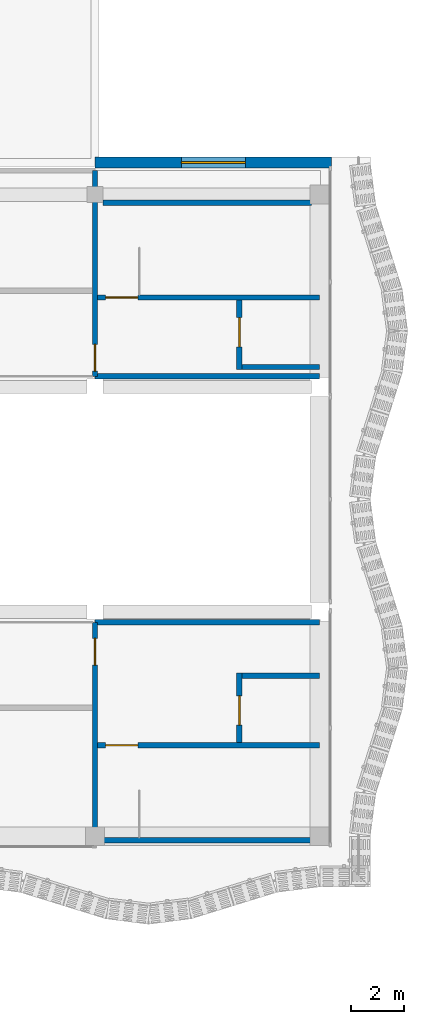
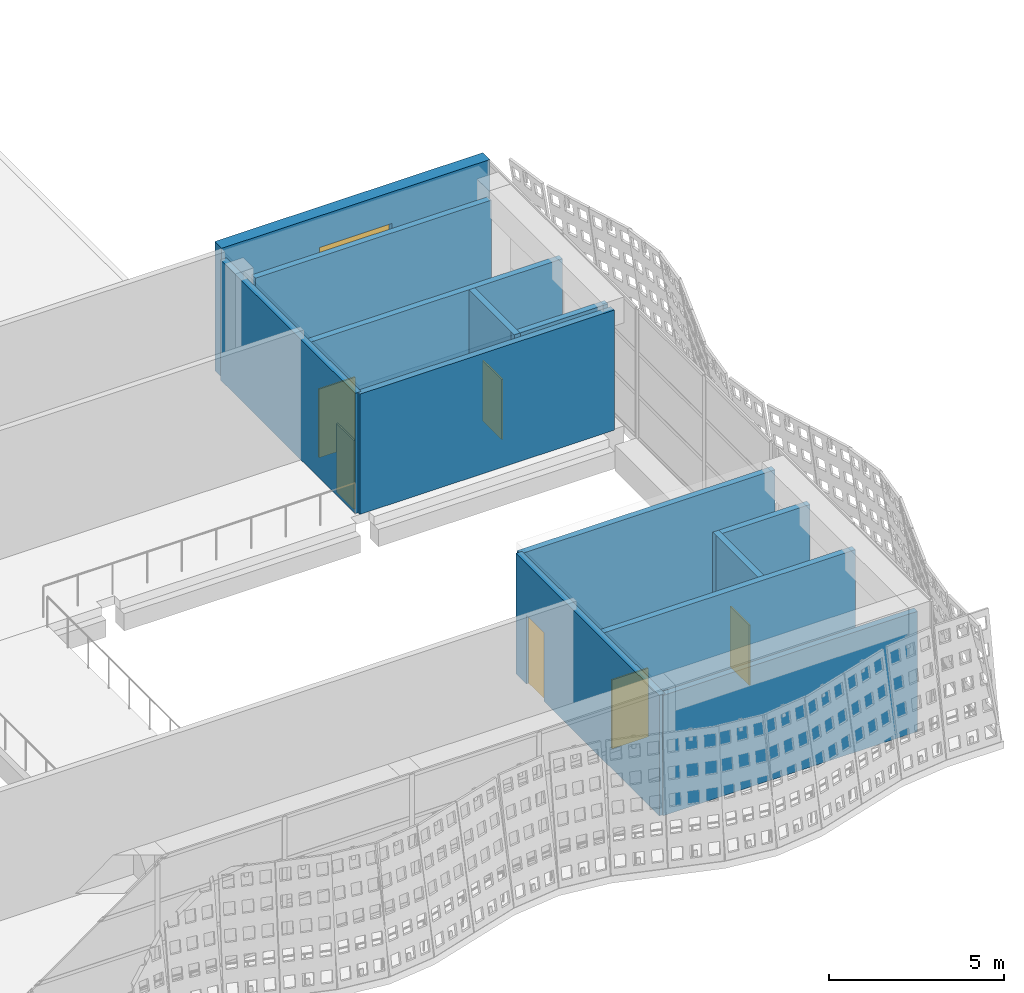
# One storey, part 97 of 162: 13 walls, 6 doors, 1 window, 7 openings.
"""IFC4 building model written with IfcOpenShell, lengths in metres."""

from ifc_helpers import new_model, si_unit, direction, frame, frame_2d, origin, place, context, subcontext, project, spatial, rectangle, extrude, material, layer, layer_set, type_object, element, fill, save


model = new_model("IFC4")

# Units and contexts
model_context = context("Model", 3, precision=1e-05, world=origin(), true_north=direction((0.0, 1.0)))
body_context = subcontext(model_context, "Body", "Model", "MODEL_VIEW")
ifc_project = project(units=[si_unit("LENGTHUNIT", "METRE"), si_unit("AREAUNIT", "SQUARE_METRE"), si_unit("VOLUMEUNIT", "CUBIC_METRE"), si_unit("PLANEANGLEUNIT", "RADIAN"), si_unit("MASSUNIT", "GRAM", prefix="KILO")], contexts=[model_context])

# Site, building, storey
site_placement = place(None, origin())
site = spatial("IfcSite", under=ifc_project, at=site_placement, CompositionType="ELEMENT")
building_placement = place(site_placement, origin())
building = spatial("IfcBuilding", under=site, at=building_placement, Name="Rain Tree Exposition and Congress Centre", CompositionType="ELEMENT")
storey_placement = place(building_placement, frame((0.0, 0.0, 6.0)))
storey = spatial("IfcBuildingStorey", under=building, at=storey_placement, Name="L01", CompositionType="ELEMENT", Elevation=6.0)

# Wall, opening, window
ifc_material_1 = material(Name="Concrete C40/50", Category="concrete")
ifc_layer_1 = layer(ifc_material_1, 0.39990234375)
ifc_layer_set_1 = layer_set([ifc_layer_1], Name="Concrete C40/50")
wall_type_1 = type_object("IfcWallType", Name="Concourse north wall 400", PredefinedType="SOLIDWALL", material=ifc_layer_set_1)
wall_1_placement = place(storey_placement, frame((260.39990234375, 100.800048828125, 0.0), z_axis=(0.0, 0.0, 1.0), x_axis=(1.0, 0.0, 0.0)))
wall_1 = element("IfcWall", 1, at=wall_1_placement, inside=storey, type_object=wall_type_1, Name="Concourse north wall", PredefinedType="SOLIDWALL", context=body_context, shape_type="SweptSolid", body=[
    extrude(rectangle(XDim=8.85009765625, YDim=0.39990234375, at=frame_2d((4.425048828125, 0.0))), origin(), (0.0, 0.0, 1.0), 4.5),
])
opening_1_placement = place(wall_1_placement, frame((3.22509765625, 0.0, 1.0)))
opening_1 = element("IfcOpeningElement", 2, at=opening_1_placement, cuts=wall_1, Name="Opening WN2600", PredefinedType="OPENING", context=body_context, shape_type="SweptSolid", body=[
    extrude(rectangle(XDim=2.39990234375, YDim=2.39990234375, at=frame_2d((1.199951171875, 1.199951171875))), frame((0.0, 0.199951171875, 0.0), z_axis=(0.0, -1.0, 0.0), x_axis=(1.0, 0.0, 0.0)), (0.0, 0.0, 1.0), 0.39990234375),
])
ifc_material_2 = material(Name="Aluminium framed glazing", Category="aluminium")
window_type = type_object("IfcWindowType", Name="Concourse fixed window 2400x2400", PartitioningType="SINGLE_PANEL", PredefinedType="WINDOW", material=ifc_material_2)
window_placement = place(opening_1_placement, origin())
window = element("IfcWindow", 3, at=window_placement, inside=storey, type_object=window_type, Name="North wall window", OverallHeight=2.39990234375, OverallWidth=2.39990234375, PartitioningType="SINGLE_PANEL", PredefinedType="WINDOW", context=body_context, shape_type="SweptSolid", body=[
    extrude(rectangle(XDim=2.39990234375, YDim=2.39990234375, at=frame_2d((1.199951171875, 1.199951171875))), frame((0.0, 0.030029296875, 0.0), z_axis=(0.0, -1.0, 0.0), x_axis=(1.0, 0.0, 0.0)), (0.0, 0.0, 1.0), 0.06005859375),
])
fill(opening_1, window)

# Wall, opening, door
ifc_material_3 = material(Name="Concrete C40/50", Category="concrete")
ifc_layer_2 = layer(ifc_material_3, 0.199951171875)
ifc_layer_set_2 = layer_set([ifc_layer_2], Name="Concrete C40/50")
wall_type_2 = type_object("IfcWallType", Name="Concourse shaft and core wall 200", PredefinedType="SOLIDWALL", material=ifc_layer_set_2)
wall_2_placement = place(storey_placement, frame((260.39990234375, 75.39990234375, 0.0), z_axis=(0.0, 0.0, 1.0), x_axis=(0.0, 1.0, 0.0)))
wall_2 = element("IfcWall", 4, at=wall_2_placement, inside=storey, type_object=wall_type_2, Name="Concourse core wall L01", PredefinedType="SOLIDWALL", context=body_context, shape_type="SweptSolid", body=[
    extrude(rectangle(XDim=8.2001953125, YDim=0.199951171875, at=frame_2d((4.10009765625, 0.0))), origin(), (0.0, 0.0, 1.0), 4.199951171875),
])
opening_2_placement = place(wall_2_placement, frame((6.60009765625, 0.0, 0.0)))
opening_2 = element("IfcOpeningElement", 5, at=opening_2_placement, cuts=wall_2, Name="Opening DC043", PredefinedType="OPENING", context=body_context, shape_type="SweptSolid", body=[
    extrude(rectangle(XDim=1.0, YDim=2.39990234375, at=frame_2d((0.5, 1.199951171875))), frame((0.0, 0.10009765625, 0.0), z_axis=(0.0, -1.0, 0.0), x_axis=(1.0, 0.0, 0.0)), (0.0, 0.0, 1.0), 0.199951171875),
])
ifc_material_4 = material(Name="Aluminium framed glazed door", Category="aluminium")
door_type_1 = type_object("IfcDoorType", Name="Concourse single door 1000x2400", OperationType="NOTDEFINED", PredefinedType="DOOR", material=ifc_material_4)
door_1_placement = place(opening_2_placement, origin())
door_1 = element("IfcDoor", 6, at=door_1_placement, inside=storey, type_object=door_type_1, Name="Stair lobby door DC043", OperationType="SINGLE_SWING_RIGHT", OverallHeight=2.39990234375, OverallWidth=1.0, PredefinedType="DOOR", context=body_context, shape_type="SweptSolid", body=[
    extrude(rectangle(XDim=1.0, YDim=2.39990234375, at=frame_2d((0.5, 1.199951171875))), frame((0.0, 0.02490234375, 0.0), z_axis=(0.0, -1.0, 0.0), x_axis=(1.0, 0.0, 0.0)), (0.0, 0.0, 1.0), 0.050048828125),
])
fill(opening_2, door_1)

# Wall
wall_3_placement = place(storey_placement, frame((260.39990234375, 83.60009765625, 0.0), z_axis=(0.0, 0.0, 1.0), x_axis=(1.0, 0.0, 0.0)))
element("IfcWall", 7, at=wall_3_placement, inside=storey, type_object=wall_type_2, Name="Concourse lobby front L01", PredefinedType="SOLIDWALL", context=body_context, shape_type="SweptSolid", body=[
    extrude(rectangle(XDim=8.400146484375, YDim=0.199951171875, at=frame_2d((4.2001953125, 0.0))), origin(), (0.0, 0.0, 1.0), 4.199951171875),
])

# Wall, opening, door
wall_4_placement = place(storey_placement, frame((260.39990234375, 100.5, 0.0), z_axis=(0.0, 0.0, 1.0), x_axis=(0.0, -1.0, 0.0)))
wall_4 = element("IfcWall", 8, at=wall_4_placement, inside=storey, type_object=wall_type_2, Name="Concourse core wall L01", PredefinedType="SOLIDWALL", context=body_context, shape_type="SweptSolid", body=[
    extrude(rectangle(XDim=7.699951171875, YDim=0.199951171875, at=frame_2d((3.85009765625, 0.0))), origin(), (0.0, 0.0, 1.0), 4.199951171875),
])
opening_3_placement = place(wall_4_placement, frame((6.5, 0.0, 0.0)))
opening_3 = element("IfcOpeningElement", 9, at=opening_3_placement, cuts=wall_4, Name="Opening DC080", PredefinedType="OPENING", context=body_context, shape_type="SweptSolid", body=[
    extrude(rectangle(XDim=1.0, YDim=2.39990234375, at=frame_2d((0.5, 1.199951171875))), frame((0.0, 0.10009765625, 0.0), z_axis=(0.0, -1.0, 0.0), x_axis=(1.0, 0.0, 0.0)), (0.0, 0.0, 1.0), 0.199951171875),
])
door_2_placement = place(opening_3_placement, origin())
door_2 = element("IfcDoor", 10, at=door_2_placement, inside=storey, type_object=door_type_1, Name="Stair lobby door DC080", OperationType="SINGLE_SWING_RIGHT", OverallHeight=2.39990234375, OverallWidth=1.0, PredefinedType="DOOR", context=body_context, shape_type="SweptSolid", body=[
    extrude(rectangle(XDim=1.0, YDim=2.39990234375, at=frame_2d((0.5, 1.199951171875))), frame((0.0, 0.02490234375, 0.0), z_axis=(0.0, -1.0, 0.0), x_axis=(1.0, 0.0, 0.0)), (0.0, 0.0, 1.0), 0.050048828125),
])
fill(opening_3, door_2)

# Walls
for number, where, z_axis, x_axis, name in (
    (11, (260.39990234375, 92.800048828125, 0.0), (0.0, 0.0, 1.0), (1.0, 0.0, 0.0), "Concourse lobby front L01"),
    (12, (260.39990234375, 75.449951171875, 0.0), (0.0, 0.0, 1.0), (1.0, 0.0, 0.0), "Concourse stair wall L01"),
):
    element("IfcWall", number, at=place(storey_placement, frame(where, z_axis=z_axis, x_axis=x_axis)), inside=storey, type_object=wall_type_2, Name=name, PredefinedType="SOLIDWALL", context=body_context, shape_type="SweptSolid", body=[
        extrude(rectangle(XDim=8.400146484375, YDim=0.199951171875, at=frame_2d((4.2001953125, 0.0))), origin(), (0.0, 0.0, 1.0), 4.199951171875),
    ])

# Wall, opening, door
wall_5_placement = place(storey_placement, frame((260.39990234375, 79.0, 0.0), z_axis=(0.0, 0.0, 1.0), x_axis=(1.0, 0.0, 0.0)))
wall_5 = element("IfcWall", 13, at=wall_5_placement, inside=storey, type_object=wall_type_2, Name="Concourse stair wall L01", PredefinedType="SOLIDWALL", context=body_context, shape_type="SweptSolid", body=[
    extrude(rectangle(XDim=8.400146484375, YDim=0.199951171875, at=frame_2d((4.2001953125, 0.0))), origin(), (0.0, 0.0, 1.0), 4.199951171875),
])
opening_4_placement = place(wall_5_placement, frame((0.39990234375, 0.0, 0.0)))
opening_4 = element("IfcOpeningElement", 14, at=opening_4_placement, cuts=wall_5, Name="Opening DC119", PredefinedType="OPENING", context=body_context, shape_type="SweptSolid", body=[
    extrude(rectangle(XDim=1.199951171875, YDim=2.39990234375, at=frame_2d((0.60009765625, 1.199951171875))), frame((0.0, 0.10009765625, 0.0), z_axis=(0.0, -1.0, 0.0), x_axis=(1.0, 0.0, 0.0)), (0.0, 0.0, 1.0), 0.199951171875),
])
ifc_material_5 = material(Name="Aluminium framed glazed door", Category="aluminium")
door_type_2 = type_object("IfcDoorType", Name="Concourse single door 1200x2400", OperationType="NOTDEFINED", PredefinedType="DOOR", material=ifc_material_5)
door_3_placement = place(opening_4_placement, origin())
door_3 = element("IfcDoor", 15, at=door_3_placement, inside=storey, type_object=door_type_2, Name="Stair door DC119", OperationType="SINGLE_SWING_LEFT", OverallHeight=2.39990234375, OverallWidth=1.199951171875, PredefinedType="DOOR", context=body_context, shape_type="SweptSolid", body=[
    extrude(rectangle(XDim=1.199951171875, YDim=2.39990234375, at=frame_2d((0.60009765625, 1.199951171875))), frame((0.0, 0.02490234375, 0.0), z_axis=(0.0, -1.0, 0.0), x_axis=(1.0, 0.0, 0.0)), (0.0, 0.0, 1.0), 0.050048828125),
])
fill(opening_4, door_3)

wall_6_placement = place(storey_placement, frame((265.800048828125, 79.10009765625, 0.0), z_axis=(0.0, 0.0, 1.0), x_axis=(0.0, 1.0, 0.0)))
wall_6 = element("IfcWall", 16, at=wall_6_placement, inside=storey, type_object=wall_type_2, Name="Concourse lift shaft wall L01", PredefinedType="SOLIDWALL", context=body_context, shape_type="SweptSolid", body=[
    extrude(rectangle(XDim=2.599853515625, YDim=0.199951171875, at=frame_2d((1.2998046875, 0.0))), origin(), (0.0, 0.0, 1.0), 4.199951171875),
])
opening_5_placement = place(wall_6_placement, frame((0.64990234375, 0.0, 0.0)))
opening_5 = element("IfcOpeningElement", 17, at=opening_5_placement, cuts=wall_6, Name="Opening DC121", PredefinedType="OPENING", context=body_context, shape_type="SweptSolid", body=[
    extrude(rectangle(XDim=1.10009765625, YDim=2.10009765625, at=frame_2d((0.550048828125, 1.050048828125))), frame((0.0, 0.10009765625, 0.0), z_axis=(0.0, -1.0, 0.0), x_axis=(1.0, 0.0, 0.0)), (0.0, 0.0, 1.0), 0.199951171875),
])
ifc_material_6 = material(Name="Stainless steel", Category="steel")
door_type_3 = type_object("IfcDoorType", Name="Lift landing door 1100x2100", OperationType="DOUBLE_DOOR_SLIDING", PredefinedType="DOOR", material=ifc_material_6)
door_4_placement = place(opening_5_placement, origin())
door_4 = element("IfcDoor", 18, at=door_4_placement, inside=storey, type_object=door_type_3, Name="Lift landing door DC121", OperationType="DOUBLE_DOOR_SLIDING", OverallHeight=2.10009765625, OverallWidth=1.10009765625, PredefinedType="DOOR", context=body_context, shape_type="SweptSolid", body=[
    extrude(rectangle(XDim=1.10009765625, YDim=2.10009765625, at=frame_2d((0.550048828125, 1.050048828125))), frame((0.0, 0.02490234375, 0.0), z_axis=(0.0, -1.0, 0.0), x_axis=(1.0, 0.0, 0.0)), (0.0, 0.0, 1.0), 0.050048828125),
])
fill(opening_5, door_4)

# Walls
wall_7_placement = place(storey_placement, frame((265.699951171875, 81.60009765625, 0.0), z_axis=(0.0, 0.0, 1.0), x_axis=(1.0, 0.0, 0.0)))
element("IfcWall", 19, at=wall_7_placement, inside=storey, type_object=wall_type_2, Name="Concourse lift shaft wall L01", PredefinedType="SOLIDWALL", context=body_context, shape_type="SweptSolid", body=[
    extrude(rectangle(XDim=3.10009765625, YDim=0.199951171875, at=frame_2d((1.550048828125, 0.0))), origin(), (0.0, 0.0, 1.0), 4.199951171875),
])
wall_8_placement = place(storey_placement, frame((260.699951171875, 99.300048828125, 0.0), z_axis=(0.0, 0.0, 1.0), x_axis=(1.0, 0.0, 0.0)))
element("IfcWall", 20, at=wall_8_placement, inside=storey, type_object=wall_type_2, Name="Concourse stair wall L01", PredefinedType="SOLIDWALL", context=body_context, shape_type="SweptSolid", body=[
    extrude(rectangle(XDim=7.800048828125, YDim=0.199951171875, at=frame_2d((3.89990234375, 0.0))), origin(), (0.0, 0.0, 1.0), 4.199951171875),
])

# Wall, opening, door
wall_9_placement = place(storey_placement, frame((260.39990234375, 95.75, 0.0), z_axis=(0.0, 0.0, 1.0), x_axis=(1.0, 0.0, 0.0)))
wall_9 = element("IfcWall", 21, at=wall_9_placement, inside=storey, type_object=wall_type_2, Name="Concourse stair wall L01", PredefinedType="SOLIDWALL", context=body_context, shape_type="SweptSolid", body=[
    extrude(rectangle(XDim=8.400146484375, YDim=0.199951171875, at=frame_2d((4.2001953125, 0.0))), origin(), (0.0, 0.0, 1.0), 4.199951171875),
])
opening_6_placement = place(wall_9_placement, frame((0.39990234375, 0.0, 0.0)))
opening_6 = element("IfcOpeningElement", 22, at=opening_6_placement, cuts=wall_9, Name="Opening DC143", PredefinedType="OPENING", context=body_context, shape_type="SweptSolid", body=[
    extrude(rectangle(XDim=1.199951171875, YDim=2.39990234375, at=frame_2d((0.60009765625, 1.199951171875))), frame((0.0, 0.10009765625, 0.0), z_axis=(0.0, -1.0, 0.0), x_axis=(1.0, 0.0, 0.0)), (0.0, 0.0, 1.0), 0.199951171875),
])
door_5_placement = place(opening_6_placement, origin())
door_5 = element("IfcDoor", 23, at=door_5_placement, inside=storey, type_object=door_type_2, Name="Stair door DC143", OperationType="SINGLE_SWING_LEFT", OverallHeight=2.39990234375, OverallWidth=1.199951171875, PredefinedType="DOOR", context=body_context, shape_type="SweptSolid", body=[
    extrude(rectangle(XDim=1.199951171875, YDim=2.39990234375, at=frame_2d((0.60009765625, 1.199951171875))), frame((0.0, 0.02490234375, 0.0), z_axis=(0.0, -1.0, 0.0), x_axis=(1.0, 0.0, 0.0)), (0.0, 0.0, 1.0), 0.050048828125),
])
fill(opening_6, door_5)

wall_10_placement = place(storey_placement, frame((265.800048828125, 93.050048828125, 0.0), z_axis=(0.0, 0.0, 1.0), x_axis=(0.0, 1.0, 0.0)))
wall_10 = element("IfcWall", 24, at=wall_10_placement, inside=storey, type_object=wall_type_2, Name="Concourse lift shaft wall L01", PredefinedType="SOLIDWALL", context=body_context, shape_type="SweptSolid", body=[
    extrude(rectangle(XDim=2.599853515625, YDim=0.199951171875, at=frame_2d((1.2998046875, 0.0))), origin(), (0.0, 0.0, 1.0), 4.199951171875),
])
opening_7_placement = place(wall_10_placement, frame((0.85009765625, 0.0, 0.0)))
opening_7 = element("IfcOpeningElement", 25, at=opening_7_placement, cuts=wall_10, Name="Opening DC145", PredefinedType="OPENING", context=body_context, shape_type="SweptSolid", body=[
    extrude(rectangle(XDim=1.10009765625, YDim=2.10009765625, at=frame_2d((0.550048828125, 1.050048828125))), frame((0.0, 0.10009765625, 0.0), z_axis=(0.0, -1.0, 0.0), x_axis=(1.0, 0.0, 0.0)), (0.0, 0.0, 1.0), 0.199951171875),
])
door_6_placement = place(opening_7_placement, origin())
door_6 = element("IfcDoor", 26, at=door_6_placement, inside=storey, type_object=door_type_3, Name="Lift landing door DC145", OperationType="DOUBLE_DOOR_SLIDING", OverallHeight=2.10009765625, OverallWidth=1.10009765625, PredefinedType="DOOR", context=body_context, shape_type="SweptSolid", body=[
    extrude(rectangle(XDim=1.10009765625, YDim=2.10009765625, at=frame_2d((0.550048828125, 1.050048828125))), frame((0.0, 0.02490234375, 0.0), z_axis=(0.0, -1.0, 0.0), x_axis=(1.0, 0.0, 0.0)), (0.0, 0.0, 1.0), 0.050048828125),
])
fill(opening_7, door_6)

# Wall
wall_11_placement = place(storey_placement, frame((265.699951171875, 93.14990234375, 0.0), z_axis=(0.0, 0.0, 1.0), x_axis=(1.0, 0.0, 0.0)))
element("IfcWall", 27, at=wall_11_placement, inside=storey, type_object=wall_type_2, Name="Concourse lift shaft wall L01", PredefinedType="SOLIDWALL", context=body_context, shape_type="SweptSolid", body=[
    extrude(rectangle(XDim=3.10009765625, YDim=0.199951171875, at=frame_2d((1.550048828125, 0.0))), origin(), (0.0, 0.0, 1.0), 4.199951171875),
])

save(model, "model.ifc")
